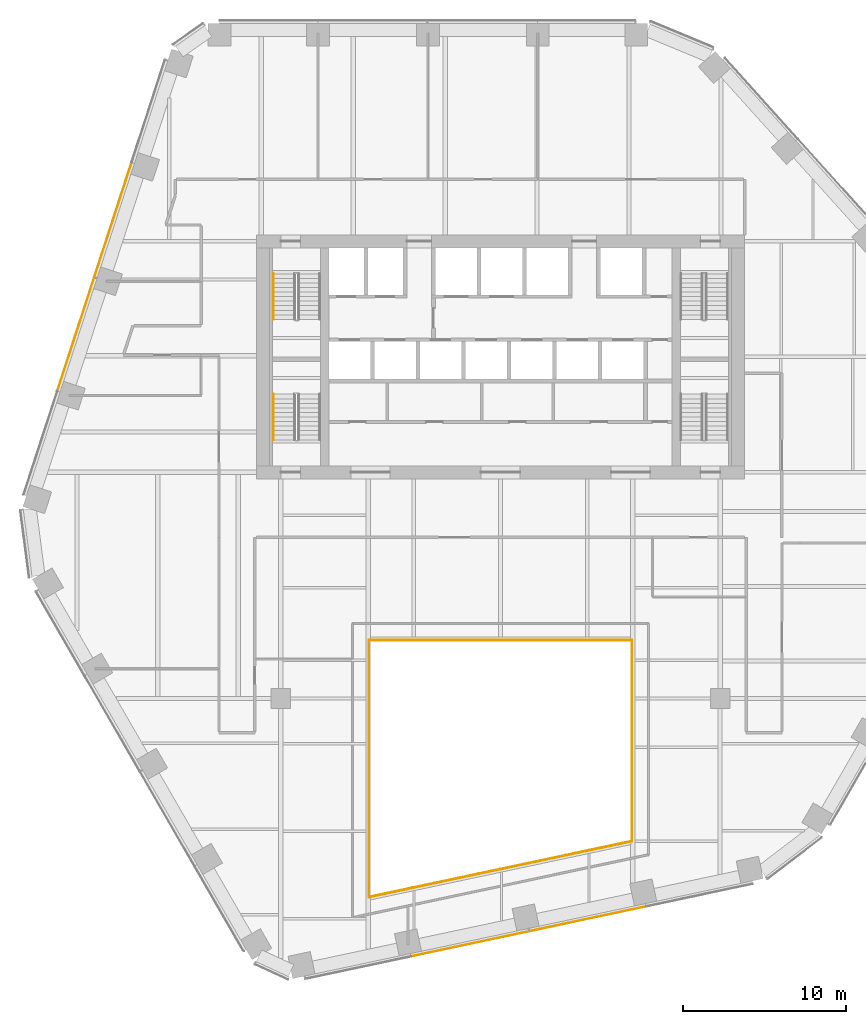
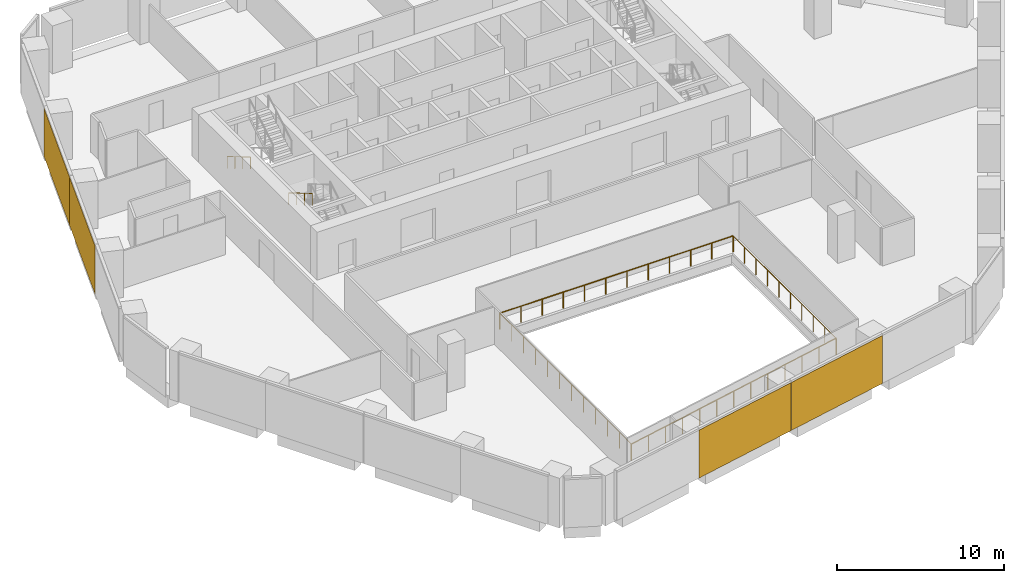
# One storey, part 14 of 16: 6 railings, 4 coverings, 2 elements without a shape of their own.
"""IFC4 building model written with IfcOpenShell, lengths in metres."""

from ifc_helpers import new_model, si_unit, direction, frame, origin, origin_2d, place, context, subcontext, project, spatial, rectangle, circle, extrude, material, layer, layer_set, type_object, element, aggregate, save


model = new_model("IFC4")

# Units and contexts
model_context = context("Model", 3, precision=1e-05, world=origin(), true_north=direction((0.0, 1.0)))
body_context = subcontext(model_context, "Body", "Model", "MODEL_VIEW")
ifc_project = project(units=[si_unit("LENGTHUNIT", "METRE"), si_unit("AREAUNIT", "SQUARE_METRE"), si_unit("VOLUMEUNIT", "CUBIC_METRE"), si_unit("PLANEANGLEUNIT", "RADIAN"), si_unit("MASSUNIT", "GRAM", prefix="KILO")], contexts=[model_context])

# Site, building, storey
site_placement = place(None, origin())
site = spatial("IfcSite", under=ifc_project, at=site_placement, CompositionType="ELEMENT")
building_placement = place(site_placement, origin())
building = spatial("IfcBuilding", under=site, at=building_placement, Name="Isthmus Gate Tower", CompositionType="ELEMENT")
storey_placement = place(building_placement, frame((0.0, 0.0, 155.35009765625)))
storey = spatial("IfcBuildingStorey", under=building, at=storey_placement, Name="L38", CompositionType="ELEMENT", Elevation=155.35009765625)

# Railings
ifc_material_1 = material(Name="Laminated toughened glass balustrade with steel rail", Category="steel")
railing_type_1 = type_object("IfcRailingType", Name="ATRIUM GUARD GLASS BALUSTRADE 1200", PredefinedType="GUARDRAIL", material=ifc_material_1)
railing_1_placement = place(storey_placement, frame((-8.080078125, -25.7099609375, 0.0)))
element("IfcRailing", 1, at=railing_1_placement, inside=storey, type_object=railing_type_1, Name="L38 atrium guard", PredefinedType="GUARDRAIL", context=body_context, shape_type="SweptSolid", body=[
    extrude(circle(Radius=0.02490234375, at=origin_2d()), frame((0.0, 0.0, 1.1748046875), z_axis=(0.0, 1.0, 0.0), x_axis=(-1.0, 0.0, 0.0)), (0.0, 0.0, 1.0), 15.7900390625),
    extrude(circle(Radius=0.02490234375, at=origin_2d()), origin(), (0.0, 0.0, 1.0), 1.14990234375),
    extrude(circle(Radius=0.02490234375, at=origin_2d()), frame((0.0, 1.435546875, 0.0)), (0.0, 0.0, 1.0), 1.14990234375),
    extrude(circle(Radius=0.02490234375, at=origin_2d()), frame((0.0, 2.870849609375, 0.0)), (0.0, 0.0, 1.0), 1.14990234375),
    extrude(circle(Radius=0.02490234375, at=origin_2d()), frame((0.0, 4.306396484375, 0.0)), (0.0, 0.0, 1.0), 1.14990234375),
    extrude(circle(Radius=0.02490234375, at=origin_2d()), frame((0.0, 5.741943359375, 0.0)), (0.0, 0.0, 1.0), 1.14990234375),
    extrude(circle(Radius=0.02490234375, at=origin_2d()), frame((0.0, 7.17724609375, 0.0)), (0.0, 0.0, 1.0), 1.14990234375),
    extrude(circle(Radius=0.02490234375, at=origin_2d()), frame((0.0, 8.61279296875, 0.0)), (0.0, 0.0, 1.0), 1.14990234375),
    extrude(circle(Radius=0.02490234375, at=origin_2d()), frame((0.0, 10.048095703125, 0.0)), (0.0, 0.0, 1.0), 1.14990234375),
    extrude(circle(Radius=0.02490234375, at=origin_2d()), frame((0.0, 11.483642578125, 0.0)), (0.0, 0.0, 1.0), 1.14990234375),
    extrude(circle(Radius=0.02490234375, at=origin_2d()), frame((0.0, 12.919189453125, 0.0)), (0.0, 0.0, 1.0), 1.14990234375),
    extrude(circle(Radius=0.02490234375, at=origin_2d()), frame((0.0, 14.3544921875, 0.0)), (0.0, 0.0, 1.0), 1.14990234375),
    extrude(circle(Radius=0.02490234375, at=origin_2d()), frame((0.0, 15.7900390625, 0.0)), (0.0, 0.0, 1.0), 1.14990234375),
])
railing_2_placement = place(storey_placement, frame((-8.080078125, -9.919921875, 0.0)))
element("IfcRailing", 2, at=railing_2_placement, inside=storey, type_object=railing_type_1, Name="L38 atrium guard", PredefinedType="GUARDRAIL", context=body_context, shape_type="SweptSolid", body=[
    extrude(circle(Radius=0.02490234375, at=origin_2d()), frame((0.0, 0.0, 1.1748046875), z_axis=(1.0, 0.0, 0.0), x_axis=(0.0, 1.0, 0.0)), (0.0, 0.0, 1.0), 16.16015625),
    extrude(circle(Radius=0.02490234375, at=origin_2d()), origin(), (0.0, 0.0, 1.0), 1.14990234375),
    extrude(circle(Radius=0.02490234375, at=origin_2d()), frame((1.468994140625, 0.0, 0.0)), (0.0, 0.0, 1.0), 1.14990234375),
    extrude(circle(Radius=0.02490234375, at=origin_2d()), frame((2.938232421875, 0.0, 0.0)), (0.0, 0.0, 1.0), 1.14990234375),
    extrude(circle(Radius=0.02490234375, at=origin_2d()), frame((4.4072265625, 0.0, 0.0)), (0.0, 0.0, 1.0), 1.14990234375),
    extrude(circle(Radius=0.02490234375, at=origin_2d()), frame((5.87646484375, 0.0, 0.0)), (0.0, 0.0, 1.0), 1.14990234375),
    extrude(circle(Radius=0.02490234375, at=origin_2d()), frame((7.345458984375, 0.0, 0.0)), (0.0, 0.0, 1.0), 1.14990234375),
    extrude(circle(Radius=0.02490234375, at=origin_2d()), frame((8.814697265625, 0.0, 0.0)), (0.0, 0.0, 1.0), 1.14990234375),
    extrude(circle(Radius=0.02490234375, at=origin_2d()), frame((10.28369140625, 0.0, 0.0)), (0.0, 0.0, 1.0), 1.14990234375),
    extrude(circle(Radius=0.02490234375, at=origin_2d()), frame((11.7529296875, 0.0, 0.0)), (0.0, 0.0, 1.0), 1.14990234375),
    extrude(circle(Radius=0.02490234375, at=origin_2d()), frame((13.221923828125, 0.0, 0.0)), (0.0, 0.0, 1.0), 1.14990234375),
    extrude(circle(Radius=0.02490234375, at=origin_2d()), frame((14.691162109375, 0.0, 0.0)), (0.0, 0.0, 1.0), 1.14990234375),
    extrude(circle(Radius=0.02490234375, at=origin_2d()), frame((16.16015625, 0.0, 0.0)), (0.0, 0.0, 1.0), 1.14990234375),
])
railing_3_placement = place(storey_placement, frame((8.080078125, -9.919921875, 0.0)))
element("IfcRailing", 3, at=railing_3_placement, inside=storey, type_object=railing_type_1, Name="L38 atrium guard", PredefinedType="GUARDRAIL", context=body_context, shape_type="SweptSolid", body=[
    extrude(circle(Radius=0.02490234375, at=origin_2d()), frame((0.0, 0.0, 1.1748046875), z_axis=(0.0, -1.0, 0.0), x_axis=(1.0, 0.0, 0.0)), (0.0, 0.0, 1.0), 12.35498046875),
    extrude(circle(Radius=0.02490234375, at=origin_2d()), origin(), (0.0, 0.0, 1.0), 1.14990234375),
    extrude(circle(Radius=0.02490234375, at=origin_2d()), frame((0.0, -1.372802734375, 0.0)), (0.0, 0.0, 1.0), 1.14990234375),
    extrude(circle(Radius=0.02490234375, at=origin_2d()), frame((0.0, -2.74560546875, 0.0)), (0.0, 0.0, 1.0), 1.14990234375),
    extrude(circle(Radius=0.02490234375, at=origin_2d()), frame((0.0, -4.118408203125, 0.0)), (0.0, 0.0, 1.0), 1.14990234375),
    extrude(circle(Radius=0.02490234375, at=origin_2d()), frame((0.0, -5.4912109375, 0.0)), (0.0, 0.0, 1.0), 1.14990234375),
    extrude(circle(Radius=0.02490234375, at=origin_2d()), frame((0.0, -6.86376953125, 0.0)), (0.0, 0.0, 1.0), 1.14990234375),
    extrude(circle(Radius=0.02490234375, at=origin_2d()), frame((0.0, -8.236572265625, 0.0)), (0.0, 0.0, 1.0), 1.14990234375),
    extrude(circle(Radius=0.02490234375, at=origin_2d()), frame((0.0, -9.609375, 0.0)), (0.0, 0.0, 1.0), 1.14990234375),
    extrude(circle(Radius=0.02490234375, at=origin_2d()), frame((0.0, -10.982177734375, 0.0)), (0.0, 0.0, 1.0), 1.14990234375),
    extrude(circle(Radius=0.02490234375, at=origin_2d()), frame((0.0, -12.35498046875, 0.0)), (0.0, 0.0, 1.0), 1.14990234375),
])
railing_4_placement = place(storey_placement, frame((8.080078125, -22.27490234375, 0.0)))
element("IfcRailing", 4, at=railing_4_placement, inside=storey, type_object=railing_type_1, Name="L38 atrium guard", PredefinedType="GUARDRAIL", context=body_context, shape_type="SweptSolid", body=[
    extrude(circle(Radius=0.02490234375, at=origin_2d()), frame((0.0, 0.0, 1.1748046875), z_axis=(-0.978146230105, -0.207918139013, 0.0), x_axis=(0.207918139013, -0.978146230105, 0.0)), (0.0, 0.0, 1.0), 16.521240234375),
    extrude(circle(Radius=0.02490234375, at=origin_2d()), origin(), (0.0, 0.0, 1.0), 1.14990234375),
    extrude(circle(Radius=0.02490234375, at=origin_2d()), frame((-1.3466796875, -0.2861328125, 0.0)), (0.0, 0.0, 1.0), 1.14990234375),
    extrude(circle(Radius=0.02490234375, at=origin_2d()), frame((-2.693359375, -0.572509765625, 0.0)), (0.0, 0.0, 1.0), 1.14990234375),
    extrude(circle(Radius=0.02490234375, at=origin_2d()), frame((-4.0400390625, -0.85888671875, 0.0)), (0.0, 0.0, 1.0), 1.14990234375),
    extrude(circle(Radius=0.02490234375, at=origin_2d()), frame((-5.38671875, -1.14501953125, 0.0)), (0.0, 0.0, 1.0), 1.14990234375),
    extrude(circle(Radius=0.02490234375, at=origin_2d()), frame((-6.7333984375, -1.43115234375, 0.0)), (0.0, 0.0, 1.0), 1.14990234375),
    extrude(circle(Radius=0.02490234375, at=origin_2d()), frame((-8.080078125, -1.717529296875, 0.0)), (0.0, 0.0, 1.0), 1.14990234375),
    extrude(circle(Radius=0.02490234375, at=origin_2d()), frame((-9.4267578125, -2.00390625, 0.0)), (0.0, 0.0, 1.0), 1.14990234375),
    extrude(circle(Radius=0.02490234375, at=origin_2d()), frame((-10.7734375, -2.2900390625, 0.0)), (0.0, 0.0, 1.0), 1.14990234375),
    extrude(circle(Radius=0.02490234375, at=origin_2d()), frame((-12.1201171875, -2.576171875, 0.0)), (0.0, 0.0, 1.0), 1.14990234375),
    extrude(circle(Radius=0.02490234375, at=origin_2d()), frame((-13.466796875, -2.862548828125, 0.0)), (0.0, 0.0, 1.0), 1.14990234375),
    extrude(circle(Radius=0.02490234375, at=origin_2d()), frame((-14.8134765625, -3.14892578125, 0.0)), (0.0, 0.0, 1.0), 1.14990234375),
    extrude(circle(Radius=0.02490234375, at=origin_2d()), frame((-16.16015625, -3.43505859375, 0.0)), (0.0, 0.0, 1.0), 1.14990234375),
])

# Curtain wall, coverings
ifc_material_2 = material(Name="Aluminium, pale champagne anodised", Category="aluminium")
ifc_layer_1 = layer(ifc_material_2, 0.199951171875)
ifc_layer_set_1 = layer_set([ifc_layer_1], Name="CW-1 UNITISED CURTAIN WALL 200 DEEP")
curtain_wall_type = type_object("IfcCurtainWallType", Name="CW-1 UNITISED CURTAIN WALL 200 DEEP", PredefinedType="NOTDEFINED", material=ifc_layer_set_1)
curtain_wall_1_placement = place(storey_placement, origin())
curtain_wall_1 = element("IfcCurtainWall", 5, at=curtain_wall_1_placement, inside=storey, type_object=curtain_wall_type, Name="CW-1 NW L38", PredefinedType="NOTDEFINED")
ifc_material_3 = material(Name="Aluminium composite panel, pale champagne anodised", Category="aluminium")
ifc_layer_2 = layer(ifc_material_3, 0.035888671875)
ifc_layer_set_2 = layer_set([ifc_layer_2], Name="CW-1 PALE METAL PANEL 36")
covering_type = type_object("IfcCoveringType", Name="CW-1 PALE METAL PANEL 36", PredefinedType="CLADDING", material=ifc_layer_set_2)
covering_1_placement = place(storey_placement, frame((-23.813720703125, 15.927490234375, 0.0), z_axis=(0.0, 0.0, 1.0), x_axis=(-0.309016994375, -0.951056516295, 0.0)))
covering_1 = element("IfcCovering", 6, at=covering_1_placement, type_object=covering_type, Name="CW-1 pale metal panel", PredefinedType="CLADDING", context=body_context, shape_type="SweptSolid", body=[
    extrude(rectangle(XDim=7.390869140625, YDim=0.035888671875, at=origin_2d()), origin(), (0.0, 0.0, 1.0), 3.510009765625),
])
covering_2_placement = place(storey_placement, frame((-26.10693359375, 8.8701171875, 0.0), z_axis=(0.0, 0.0, 1.0), x_axis=(-0.309016994375, -0.951056516295, 0.0)))
covering_2 = element("IfcCovering", 7, at=covering_2_placement, type_object=covering_type, Name="CW-1 pale metal panel", PredefinedType="CLADDING", context=body_context, shape_type="SweptSolid", body=[
    extrude(rectangle(XDim=7.330810546875, YDim=0.035888671875, at=origin_2d()), origin(), (0.0, 0.0, 1.0), 3.510009765625),
])
aggregate(curtain_wall_1, [covering_1, covering_2])

curtain_wall_2_placement = place(storey_placement, origin())
curtain_wall_2 = element("IfcCurtainWall", 8, at=curtain_wall_2_placement, inside=storey, type_object=curtain_wall_type, Name="CW-1 S L38", PredefinedType="NOTDEFINED")
covering_3_placement = place(storey_placement, frame((-1.88671875, -28.587158203125, 0.0), z_axis=(0.0, 0.0, 1.0), x_axis=(0.978147600734, 0.207911690818, 0.0)))
covering_3 = element("IfcCovering", 9, at=covering_3_placement, type_object=covering_type, Name="CW-1 pale metal panel", PredefinedType="CLADDING", context=body_context, shape_type="SweptSolid", body=[
    extrude(rectangle(XDim=7.390869140625, YDim=0.035888671875, at=origin_2d()), origin(), (0.0, 0.0, 1.0), 3.510009765625),
])
covering_4_placement = place(storey_placement, frame((5.371826171875, -27.044189453125, 0.0), z_axis=(0.0, 0.0, 1.0), x_axis=(0.978147600734, 0.207911690818, 0.0)))
covering_4 = element("IfcCovering", 10, at=covering_4_placement, type_object=covering_type, Name="CW-1 pale metal panel", PredefinedType="CLADDING", context=body_context, shape_type="SweptSolid", body=[
    extrude(rectangle(XDim=7.330810546875, YDim=0.035888671875, at=origin_2d()), origin(), (0.0, 0.0, 1.0), 3.510009765625),
])
aggregate(curtain_wall_2, [covering_3, covering_4])

# Railings
ifc_material_4 = material(Name="Stainless steel handrail", Category="steel")
railing_type_2 = type_object("IfcRailingType", Name="STAIR HANDRAIL 900", PredefinedType="HANDRAIL", material=ifc_material_4)
for number, where, name in (
    (11, (-13.949951171875, 12.60009765625, 0.165771484375), "L38 ST1 stair handrail 1"),
    (12, (-13.949951171875, 5.199951171875, 1.99072265625), "L38 ST7 stair handrail 2"),
):
    element("IfcRailing", number, at=place(storey_placement, frame(where)), inside=storey, type_object=railing_type_2, Name=name, PredefinedType="HANDRAIL", context=body_context, shape_type="SweptSolid", body=[
        extrude(circle(Radius=0.02392578125, at=origin_2d()), frame((0.0, 0.0, 0.8759765625), z_axis=(0.0, -0.860306154799, 0.50977771628), x_axis=(1.0, 0.0, 0.0)), (0.0, 0.0, 1.0), 3.254638671875),
        extrude(circle(Radius=0.02099609375, at=origin_2d()), origin(), (0.0, 0.0, 1.0), 0.851806640625),
        extrude(circle(Radius=0.02099609375, at=origin_2d()), frame((0.0, -0.933349609375, 0.552978515625)), (0.0, 0.0, 1.0), 0.851806640625),
        extrude(circle(Radius=0.02099609375, at=origin_2d()), frame((0.0, -1.86669921875, 1.106201171875)), (0.0, 0.0, 1.0), 0.851806640625),
        extrude(circle(Radius=0.02099609375, at=origin_2d()), frame((0.0, -2.800048828125, 1.6591796875)), (0.0, 0.0, 1.0), 0.851806640625),
    ])

save(model, "model.ifc")
